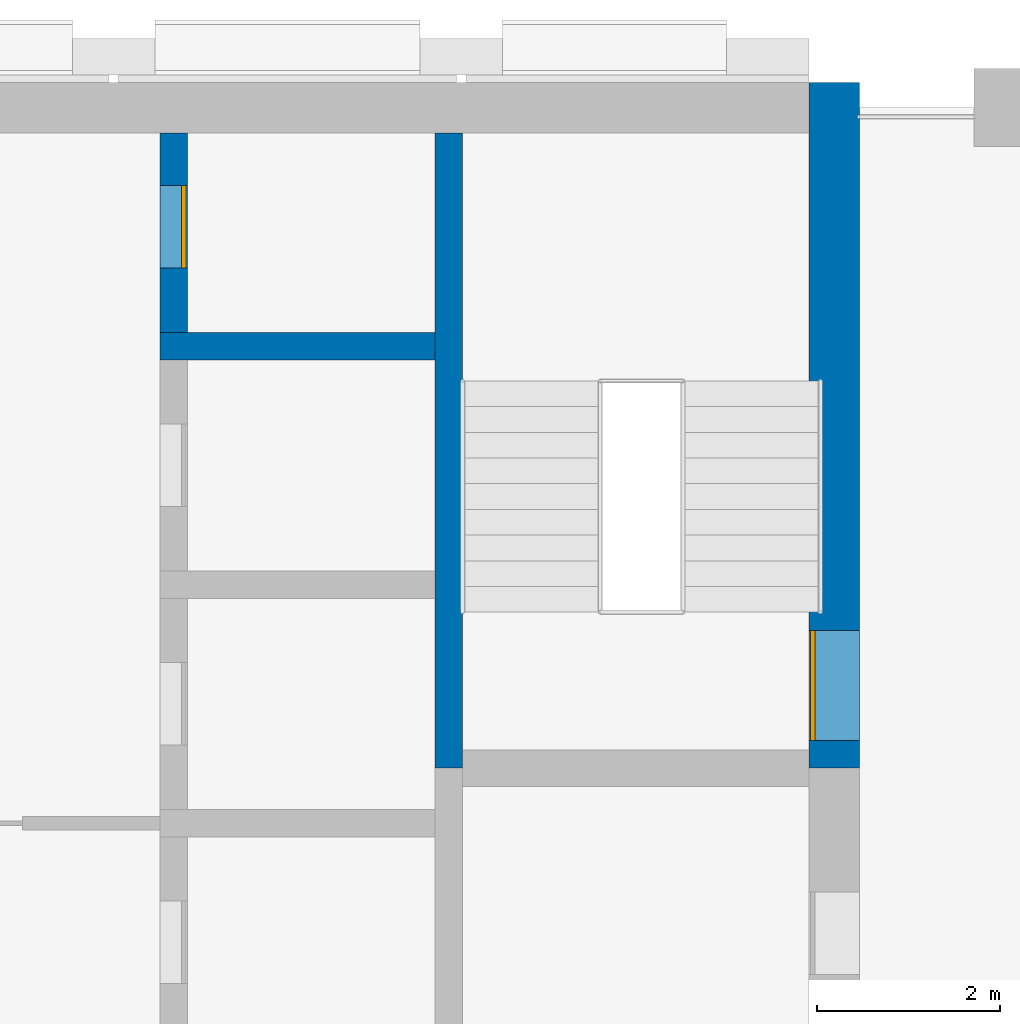
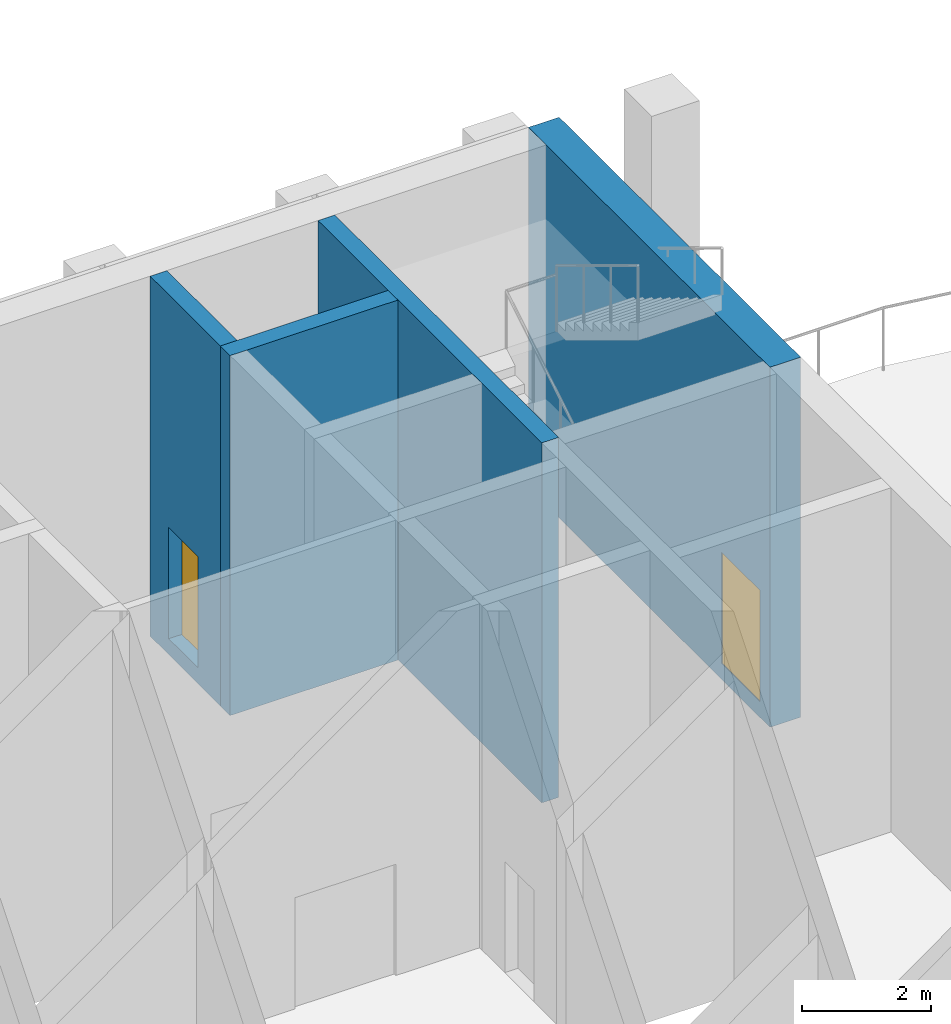
# One storey, part 3 of 10: 4 walls, 2 doors, 2 openings.
"""IFC4 building model written with IfcOpenShell, lengths in metres."""

from ifc_helpers import new_model, si_unit, direction, frame, frame_2d, origin, place, context, subcontext, project, spatial, rectangle, extrude, material, layer, layer_set, type_object, element, fill, save


model = new_model("IFC4")

# Units and contexts
model_context = context("Model", 3, precision=1e-05, world=origin(), true_north=direction((0.0, 1.0)))
body_context = subcontext(model_context, "Body", "Model", "MODEL_VIEW")
ifc_project = project(units=[si_unit("LENGTHUNIT", "METRE"), si_unit("AREAUNIT", "SQUARE_METRE"), si_unit("VOLUMEUNIT", "CUBIC_METRE"), si_unit("PLANEANGLEUNIT", "RADIAN"), si_unit("MASSUNIT", "GRAM", prefix="KILO")], contexts=[model_context])

# Site, building, storey
site_placement = place(None, origin())
site = spatial("IfcSite", under=ifc_project, at=site_placement, CompositionType="ELEMENT")
building_placement = place(site_placement, origin())
building = spatial("IfcBuilding", under=site, at=building_placement, Name="Ludao Terraces", CompositionType="ELEMENT")
storey_placement = place(building_placement, frame((0.0, 0.0, 116.89990234375)))
storey = spatial("IfcBuildingStorey", under=building, at=storey_placement, Name="L32", CompositionType="ELEMENT", Elevation=116.89990234375)

# Wall, opening, door
ifc_material_1 = material(Name="Concrete C60", Category="concrete")
ifc_layer_1 = layer(ifc_material_1, 0.550048828125)
ifc_layer_set_1 = layer_set([ifc_layer_1], Name="Core wall 550 C60")
wall_type_1 = type_object("IfcWallType", Name="Core wall 550 C60", PredefinedType="SOLIDWALL", material=ifc_layer_set_1)
wall_1_placement = place(storey_placement, frame((94.75, 77.300048828125, -0.2998046875), z_axis=(0.0, 0.0, 1.0), x_axis=(0.0, 1.0, 0.0)))
wall_1 = element("IfcWall", 1, at=wall_1_placement, inside=storey, type_object=wall_type_1, Name="Core wall L32 outer-E-S2", PredefinedType="SOLIDWALL", context=body_context, shape_type="SweptSolid", body=[
    extrude(rectangle(XDim=7.474853515625, YDim=0.550048828125, at=frame_2d((3.7373046875, 0.0))), origin(), (0.0, 0.0, 1.0), 6.7998046875),
])
opening_1_placement = place(wall_1_placement, frame((0.300048828125, 0.0, 0.300048828125)))
opening_1 = element("IfcOpeningElement", 2, at=opening_1_placement, cuts=wall_1, Name="Opening L32-020", PredefinedType="OPENING", context=body_context, shape_type="SweptSolid", body=[
    extrude(rectangle(XDim=1.199951171875, YDim=2.10009765625, at=frame_2d((0.60009765625, 1.050048828125))), frame((0.0, 0.28515625, 0.0), z_axis=(0.0, -1.0, 0.0), x_axis=(1.0, 0.0, 0.0)), (0.0, 0.0, 1.0), 0.570068359375),
])
ifc_material_2 = material(Name="Steel Q235", Category="steel")
door_type_1 = type_object("IfcDoorType", Name="INT Stair door 1200", OperationType="DOUBLE_DOOR_SINGLE_SWING", PredefinedType="DOOR", material=ifc_material_2)
door_1_placement = place(opening_1_placement, origin())
door_1 = element("IfcDoor", 3, at=door_1_placement, inside=storey, type_object=door_type_1, Name="DOOR 020", OperationType="DOUBLE_DOOR_SINGLE_SWING", OverallHeight=2.10009765625, OverallWidth=1.199951171875, PredefinedType="DOOR", context=body_context, shape_type="SweptSolid", body=[
    extrude(rectangle(XDim=1.199951171875, YDim=2.10009765625, at=frame_2d((0.60009765625, 1.050048828125))), frame((0.0, 0.26025390625, 0.0), z_axis=(0.0, -1.0, 0.0), x_axis=(1.0, 0.0, 0.0)), (0.0, 0.0, 1.0), 0.050048828125),
])
fill(opening_1, door_1)

# Walls
ifc_material_3 = material(Name="Concrete C55", Category="concrete")
ifc_layer_2 = layer(ifc_material_3, 0.300048828125)
ifc_layer_set_2 = layer_set([ifc_layer_2], Name="Shaft wall 300 C55")
wall_type_2 = type_object("IfcWallType", Name="Shaft wall 300 C55", PredefinedType="SOLIDWALL", material=ifc_layer_set_2)
wall_2_placement = place(storey_placement, frame((90.550048828125, 77.300048828125, -0.2998046875), z_axis=(0.0, 0.0, 1.0), x_axis=(0.0, 1.0, 0.0)))
element("IfcWall", 4, at=wall_2_placement, inside=storey, type_object=wall_type_2, Name="Core wall L32 back-E-S2", PredefinedType="SOLIDWALL", context=body_context, shape_type="SweptSolid", body=[
    extrude(rectangle(XDim=6.925048828125, YDim=0.300048828125, at=frame_2d((3.46240234375, 0.0))), origin(), (0.0, 0.0, 1.0), 6.7998046875),
])
wall_3_placement = place(storey_placement, frame((87.39990234375, 81.89990234375, -0.2998046875), z_axis=(0.0, 0.0, 1.0), x_axis=(1.0, 0.0, 0.0)))
element("IfcWall", 5, at=wall_3_placement, inside=storey, type_object=wall_type_2, Name="Core wall L32 div-E9", PredefinedType="SOLIDWALL", context=body_context, shape_type="SweptSolid", body=[
    extrude(rectangle(XDim=3.0, YDim=0.300048828125, at=frame_2d((1.5, 0.0))), origin(), (0.0, 0.0, 1.0), 6.7998046875),
])

# Wall, opening, door
wall_4_placement = place(storey_placement, frame((87.550048828125, 82.050048828125, -0.2998046875), z_axis=(0.0, 0.0, 1.0), x_axis=(0.0, 1.0, 0.0)))
wall_4 = element("IfcWall", 6, at=wall_4_placement, inside=storey, type_object=wall_type_2, Name="Core wall L32 front-E9", PredefinedType="SOLIDWALL", context=body_context, shape_type="SweptSolid", body=[
    extrude(rectangle(XDim=2.175048828125, YDim=0.300048828125, at=frame_2d((1.08740234375, 0.0))), origin(), (0.0, 0.0, 1.0), 6.7998046875),
])
opening_2_placement = place(wall_4_placement, frame((0.699951171875, 0.0, 0.300048828125)))
opening_2 = element("IfcOpeningElement", 7, at=opening_2_placement, cuts=wall_4, Name="Opening L32-024", PredefinedType="OPENING", context=body_context, shape_type="SweptSolid", body=[
    extrude(rectangle(XDim=0.89990234375, YDim=2.10009765625, at=frame_2d((0.449951171875, 1.050048828125))), frame((0.0, 0.16015625, 0.0), z_axis=(0.0, -1.0, 0.0), x_axis=(1.0, 0.0, 0.0)), (0.0, 0.0, 1.0), 0.320068359375),
])
ifc_material_4 = material(Name="Timber door leaf", Category="wood")
door_type_2 = type_object("IfcDoorType", Name="INT Room door 900", OperationType="SINGLE_SWING_LEFT", PredefinedType="DOOR", material=ifc_material_4)
door_2_placement = place(opening_2_placement, origin())
door_2 = element("IfcDoor", 8, at=door_2_placement, inside=storey, type_object=door_type_2, Name="DOOR 024", OperationType="SINGLE_SWING_LEFT", OverallHeight=2.10009765625, OverallWidth=0.89990234375, PredefinedType="DOOR", context=body_context, shape_type="SweptSolid", body=[
    extrude(rectangle(XDim=0.89990234375, YDim=2.10009765625, at=frame_2d((0.449951171875, 1.050048828125))), frame((0.0, -0.0849609375, 0.0), z_axis=(0.0, -1.0, 0.0), x_axis=(1.0, 0.0, 0.0)), (0.0, 0.0, 1.0), 0.050048828125),
])
fill(opening_2, door_2)

save(model, "model.ifc")
